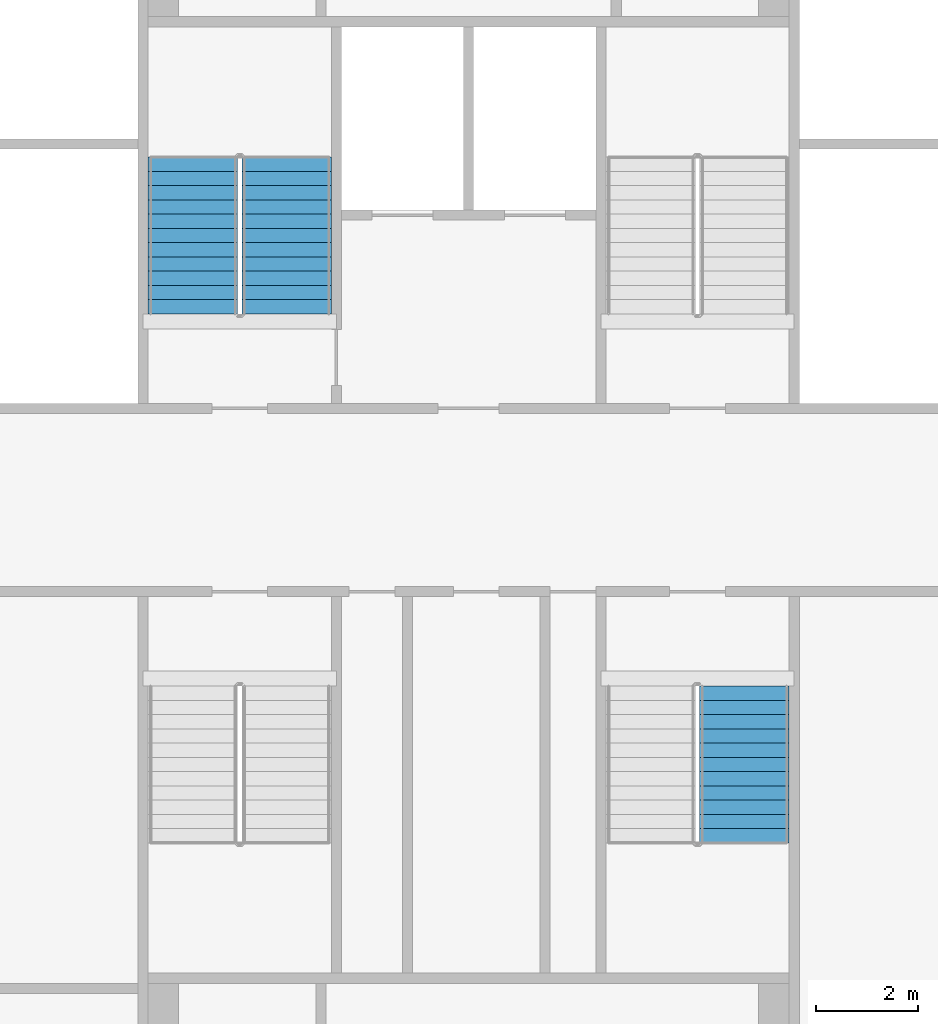
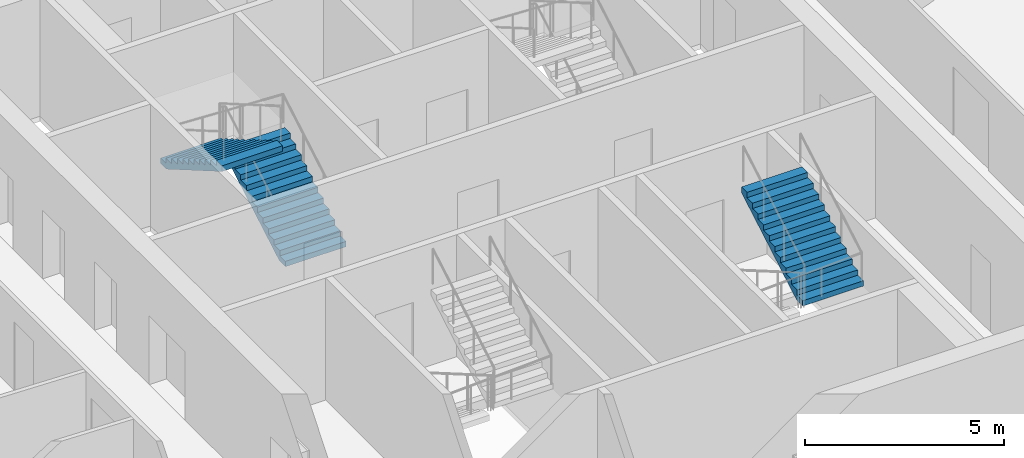
# One storey, part 15 of 21: 3 stair flights, 2 elements without a shape of their own.
"""IFC4 building model written with IfcOpenShell, lengths in metres."""

import ifcopenshell
import ifcopenshell.guid

model = None  # the IFC model being written
_history = None  # IfcOwnerHistory: only IFC2X3 demands one
_inside = {}  # id of a spatial element -> (the spatial element, [elements in it])
_under = {}  # id of a project, library or spatial element -> (it, [spatial elements below it])
_declared = {}  # id of a project -> (the project, [libraries it declares])
_typed = {}  # id of a type object -> (the type object, [elements of that type])
_made_of = {}  # id of a material, layer set ... -> (it, [elements and type objects made of it])


def new_model(schema):
    """Start an empty IFC model of exactly this schema.

    Asked for "IFC4X3", IfcOpenShell would pick the latest addendum, in which some entities
    have other attributes; the version numbers below select the first issue.
    IFC2X3 requires an IfcOwnerHistory on every rooted entity: one is made here for all.
    """
    global model, _history
    if schema == "IFC4X3":
        model = ifcopenshell.file(schema_version=(4, 3, 0, 0))
    else:
        model = ifcopenshell.file(schema=schema)
    _inside.clear()
    _under.clear()
    _declared.clear()
    _typed.clear()
    _made_of.clear()
    _history = None
    if model.schema == "IFC2X3":
        org = make("IfcOrganization", Name="unknown")
        user = make(
            "IfcPersonAndOrganization",
            ThePerson=make("IfcPerson", FamilyName="unknown"),
            TheOrganization=org,
        )
        app = make(
            "IfcApplication",
            ApplicationDeveloper=org,
            Version="unknown",
            ApplicationFullName="unknown",
            ApplicationIdentifier="unknown",
        )
        _history = make(
            "IfcOwnerHistory",
            OwningUser=user,
            OwningApplication=app,
            ChangeAction="ADDED",
            CreationDate=0,
        )
    return model


def make(cls, **values):
    """One entity of the class cls with the attributes given. An attribute that is None is left unset."""
    return model.create_entity(
        cls, **{name: value for name, value in values.items() if value is not None}
    )


def rooted(cls, **values):
    """An entity with a GlobalId (a new one), such as an element, a storey or a relation."""
    return make(cls, GlobalId=ifcopenshell.guid.new(), OwnerHistory=_history, **values)


def si_unit(unit_type, name, prefix=None):
    """IfcSIUnit, for example si_unit("LENGTHUNIT", "METRE", prefix="MILLI")."""
    return make("IfcSIUnit", UnitType=unit_type, Prefix=prefix, Name=name)


def assignment(units):
    """IfcUnitAssignment: the units of a project."""
    return None if units is None else make("IfcUnitAssignment", Units=units)


def point(xyz):
    """IfcCartesianPoint."""
    return None if xyz is None else make("IfcCartesianPoint", Coordinates=xyz)


def direction(xyz):
    """IfcDirection."""
    return None if xyz is None else make("IfcDirection", DirectionRatios=xyz)


def frame(location, z_axis=None, x_axis=None):
    """IfcAxis2Placement3D, a coordinate frame: its origin and axes. An axis left out is left unset."""
    return make(
        "IfcAxis2Placement3D",
        Location=point(location),
        Axis=direction(z_axis),
        RefDirection=direction(x_axis),
    )


def origin():
    """The frame at (0, 0, 0) with its axes left unset."""
    return frame((0.0, 0.0, 0.0))


def place(relative_to, where):
    """IfcLocalPlacement: puts the frame where relative to a parent placement (None: the world)."""
    return make(
        "IfcLocalPlacement", PlacementRelTo=relative_to, RelativePlacement=where
    )


def context(
    kind, dimensions, precision=None, world=None, true_north=None, identifier=None
):
    """IfcGeometricRepresentationContext, for example the 3D "Model" context."""
    return make(
        "IfcGeometricRepresentationContext",
        ContextIdentifier=identifier,
        ContextType=kind,
        CoordinateSpaceDimension=dimensions,
        Precision=precision,
        WorldCoordinateSystem=world,
        TrueNorth=true_north,
    )


def subcontext(parent, identifier, kind, view, scale=None):
    """IfcGeometricRepresentationSubContext, for example "Body" below "Model"."""
    return make(
        "IfcGeometricRepresentationSubContext",
        ContextIdentifier=identifier,
        ContextType=kind,
        ParentContext=parent,
        TargetScale=scale,
        TargetView=view,
    )


def project(units=None, contexts=None):
    """IfcProject with its units and contexts."""
    return rooted(
        "IfcProject",
        Name="project",
        RepresentationContexts=contexts,
        UnitsInContext=assignment(units),
    )


def spatial(cls, under=None, at=None, **own):
    """A site, building, storey or space (cls), placed at a placement, below another one or the project."""
    s = rooted(cls, ObjectPlacement=at, **own)
    if under is not None:
        _under.setdefault(under.id(), (under, []))[1].append(s)
    return s


def faces_of(points, faces, orient=None, outer=None):
    """IfcFace entities. A face is a list of loops; a loop is a list of indices into points, from 0.

    orient and outer hold one flag for each loop. By default every Orientation is true, the
    first loop of a face is its IfcFaceOuterBound and the others are IfcFaceBound.
    """
    made = []
    for i, loops in enumerate(faces):
        bounds = []
        for j, loop in enumerate(loops):
            is_outer = j == 0 if outer is None else outer[i][j]
            bounds.append(
                make(
                    "IfcFaceOuterBound" if is_outer else "IfcFaceBound",
                    Bound=make("IfcPolyLoop", Polygon=[points[k] for k in loop]),
                    Orientation=True if orient is None else orient[i][j],
                )
            )
        made.append(make("IfcFace", Bounds=bounds))
    return made


def faceted_brep(points, faces, orient=None, outer=None, voids=None):
    """IfcFacetedBrep: a solid bounded by flat faces; with voids (closed shells), ...WithVoids."""
    shared = [point(p) for p in points]
    hull = make("IfcClosedShell", CfsFaces=faces_of(shared, faces, orient, outer))
    if voids is None:
        return make("IfcFacetedBrep", Outer=hull)
    return make(
        "IfcFacetedBrepWithVoids",
        Outer=hull,
        Voids=[
            make(cls, CfsFaces=faces_of(shared, fs, o, b)) for cls, fs, o, b in voids
        ],
    )


def shape(context_of_items, identifier, shape_type, items):
    """IfcShapeRepresentation: the items that make up one representation, for example the "Body"."""
    return make(
        "IfcShapeRepresentation",
        ContextOfItems=context_of_items,
        RepresentationIdentifier=identifier,
        RepresentationType=shape_type,
        Items=items,
    )


def material(Name=None, Category=None):
    """IfcMaterial."""
    return make("IfcMaterial", Name=Name, Category=Category)


def made_of(thing, what):
    """Note that an element or type object is made of a material, layer set ...; save() writes the relation."""
    if what is not None:
        _made_of.setdefault(what.id(), (what, []))[1].append(thing)
    return thing


def type_object(cls, material=None, **own):
    """A type object (cls), such as IfcWallType, which elements share."""
    return made_of(rooted(cls, **own), material)


def element(
    cls,
    number,
    at=None,
    inside=None,
    cuts=None,
    type_object=None,
    material=None,
    context=None,
    identifier="Body",
    shape_type=None,
    held_by="IfcProductDefinitionShape",
    body=None,
    shapes=None,
    **own,
):
    """One element of the class cls, such as IfcWall. Its Tag is "e" and its number.

    at: its placement. inside: the storey or other place that contains it. cuts: it is an
    opening in that element (IfcRelVoidsElement). A single representation is given by context,
    identifier, shape_type and body (its items); several are given by shapes. held_by: the class
    of the entity that holds the representations. save() writes the other relations.
    """
    e = rooted(cls, Tag="e%d" % number, ObjectPlacement=at, **own)
    if body is not None:
        shapes = [shape(context, identifier, shape_type, body)]
    if shapes is not None:
        e.Representation = make(held_by, Representations=shapes)
    if inside is not None:
        _inside.setdefault(inside.id(), (inside, []))[1].append(e)
    if cuts is not None:
        rooted(
            "IfcRelVoidsElement", RelatingBuildingElement=cuts, RelatedOpeningElement=e
        )
    if type_object is not None:
        _typed.setdefault(type_object.id(), (type_object, []))[1].append(e)
    return made_of(e, material)


def aggregate(whole, parts):
    """IfcRelAggregates: a whole, such as a stair, and the parts it consists of."""
    return rooted("IfcRelAggregates", RelatingObject=whole, RelatedObjects=parts)


def save(model, path):
    """Write the relations noted so far, then the file.

    IfcRelAggregates (storeys below a building ...), IfcRelContainedInSpatialStructure (elements
    in a storey), IfcRelDefinesByType, IfcRelAssociatesMaterial and IfcRelDeclares: one each for
    every whole, place, type object, material and project.
    """
    for whole, parts in _under.values():
        aggregate(whole, parts)
    for where, things in _inside.values():
        rooted(
            "IfcRelContainedInSpatialStructure",
            RelatedElements=things,
            RelatingStructure=where,
        )
    for kind, things in _typed.values():
        rooted("IfcRelDefinesByType", RelatedObjects=things, RelatingType=kind)
    for what, things in _made_of.values():
        rooted("IfcRelAssociatesMaterial", RelatedObjects=things, RelatingMaterial=what)
    for by, libraries in _declared.values():
        rooted("IfcRelDeclares", RelatingContext=by, RelatedDefinitions=libraries)
    model.write(path)


model = new_model("IFC4")

# Units and contexts
model_context = context("Model", 3, precision=1e-05, world=origin(), true_north=direction((0.0, 1.0)))
body_context = subcontext(model_context, "Body", "Model", "MODEL_VIEW")
ifc_project = project(units=[si_unit("LENGTHUNIT", "METRE"), si_unit("AREAUNIT", "SQUARE_METRE"), si_unit("VOLUMEUNIT", "CUBIC_METRE"), si_unit("PLANEANGLEUNIT", "RADIAN"), si_unit("MASSUNIT", "GRAM", prefix="KILO")], contexts=[model_context])

# Site, building, storey
site_placement = place(None, origin())
site = spatial("IfcSite", under=ifc_project, at=site_placement, CompositionType="ELEMENT")
building_placement = place(site_placement, origin())
building = spatial("IfcBuilding", under=site, at=building_placement, Name="Tarsis Ring Headquarters", CompositionType="ELEMENT")
storey_placement = place(building_placement, frame((0.0, 0.0, 278.60009765625)))
storey = spatial("IfcBuildingStorey", under=building, at=storey_placement, Name="L65", CompositionType="ELEMENT", Elevation=278.60009765625)

# Stair, stair flights
ifc_material_1 = material(Name="Core stair 1760")
stair_type = type_object("IfcStairType", Name="Core stair 1760", PredefinedType="HALF_TURN_STAIR", material=ifc_material_1)
stair_1_placement = place(storey_placement, origin())
stair_1 = element("IfcStair", 1, at=stair_1_placement, inside=storey, type_object=stair_type, Name="L65 Firefighting stair", PredefinedType="HALF_TURN_STAIR")
ifc_material_2 = material(Name="Concrete C40/50", Category="concrete")
stair_flight_type = type_object("IfcStairFlightType", Name="Core stair flight 1760", PredefinedType="STRAIGHT", material=ifc_material_2)
stair_flight_1_placement = place(storey_placement, frame((-3.580078125, 3.659912109375, 0.0), z_axis=(0.0, 0.0, 1.0), x_axis=(0.0, 1.0, 0.0)))
stair_flight_1 = element("IfcStairFlight", 2, at=stair_flight_1_placement, type_object=stair_flight_type, Name="Stair ST1 flight 1", NumberOfRisers=12, NumberOfTreads=11, PredefinedType="STRAIGHT", RiserHeight=0.1625, TreadLength=0.28, context=body_context, shape_type="Brep", body=[
    faceted_brep([(0.0, 0.8798828125, 0.0), (0.0, 0.8798828125, 0.16259765625), (0.280029296875, 0.8798828125, 0.16259765625), (0.280029296875, 0.8798828125, 0.324951171875), (0.56005859375, 0.8798828125, 0.324951171875), (0.56005859375, 0.8798828125, 0.487548828125), (0.840087890625, 0.8798828125, 0.487548828125), (0.840087890625, 0.8798828125, 0.64990234375), (1.1201171875, 0.8798828125, 0.64990234375), (1.1201171875, 0.8798828125, 0.8125), (1.39990234375, 0.8798828125, 0.8125), (1.39990234375, 0.8798828125, 0.97509765625), (1.679931640625, 0.8798828125, 0.97509765625), (1.679931640625, 0.8798828125, 1.137451171875), (1.9599609375, 0.8798828125, 1.137451171875), (1.9599609375, 0.8798828125, 1.300048828125), (2.239990234375, 0.8798828125, 1.300048828125), (2.239990234375, 0.8798828125, 1.46240234375), (2.52001953125, 0.8798828125, 1.46240234375), (2.52001953125, 0.8798828125, 1.625), (2.800048828125, 0.8798828125, 1.625), (2.800048828125, 0.8798828125, 1.78759765625), (3.080078125, 0.8798828125, 1.78759765625), (3.080078125, 0.8798828125, 1.6142578125), (0.298583984375, 0.8798828125, 0.0), (0.298583984375, -0.8798828125, 0.0), (3.080078125, -0.8798828125, 1.6142578125), (3.080078125, -0.8798828125, 1.78759765625), (2.800048828125, -0.8798828125, 1.78759765625), (2.800048828125, -0.8798828125, 1.625), (2.52001953125, -0.8798828125, 1.625), (2.52001953125, -0.8798828125, 1.46240234375), (2.239990234375, -0.8798828125, 1.46240234375), (2.239990234375, -0.8798828125, 1.300048828125), (1.9599609375, -0.8798828125, 1.300048828125), (1.9599609375, -0.8798828125, 1.137451171875), (1.679931640625, -0.8798828125, 1.137451171875), (1.679931640625, -0.8798828125, 0.97509765625), (1.39990234375, -0.8798828125, 0.97509765625), (1.39990234375, -0.8798828125, 0.8125), (1.1201171875, -0.8798828125, 0.8125), (1.1201171875, -0.8798828125, 0.64990234375), (0.840087890625, -0.8798828125, 0.64990234375), (0.840087890625, -0.8798828125, 0.487548828125), (0.56005859375, -0.8798828125, 0.487548828125), (0.56005859375, -0.8798828125, 0.324951171875), (0.280029296875, -0.8798828125, 0.324951171875), (0.280029296875, -0.8798828125, 0.16259765625), (0.0, -0.8798828125, 0.16259765625), (0.0, -0.8798828125, 0.0), (0.0, -0.43994140625, 0.16259765625), (0.0, -0.43994140625, 0.0), (0.0, 0.0, 0.16259765625), (0.0, 0.0, 0.0), (0.0, 0.43994140625, 0.16259765625), (0.0, 0.43994140625, 0.0), (0.280029296875, -0.43994140625, 0.16259765625), (0.280029296875, 0.0, 0.16259765625), (0.280029296875, 0.43994140625, 0.16259765625), (0.280029296875, -0.43994140625, 0.324951171875), (0.280029296875, 0.0, 0.324951171875), (0.280029296875, 0.43994140625, 0.324951171875), (0.56005859375, -0.43994140625, 0.324951171875), (0.56005859375, 0.0, 0.324951171875), (0.56005859375, 0.43994140625, 0.324951171875), (0.56005859375, -0.43994140625, 0.487548828125), (0.56005859375, 0.0, 0.487548828125), (0.56005859375, 0.43994140625, 0.487548828125), (0.840087890625, -0.43994140625, 0.487548828125), (0.840087890625, 0.0, 0.487548828125), (0.840087890625, 0.43994140625, 0.487548828125), (0.840087890625, -0.43994140625, 0.64990234375), (0.840087890625, 0.0, 0.64990234375), (0.840087890625, 0.43994140625, 0.64990234375), (1.1201171875, -0.43994140625, 0.64990234375), (1.1201171875, 0.0, 0.64990234375), (1.1201171875, 0.43994140625, 0.64990234375), (1.1201171875, -0.43994140625, 0.8125), (1.1201171875, 0.0, 0.8125), (1.1201171875, 0.43994140625, 0.8125), (1.39990234375, -0.43994140625, 0.8125), (1.39990234375, 0.0, 0.8125), (1.39990234375, 0.43994140625, 0.8125), (1.39990234375, -0.43994140625, 0.97509765625), (1.39990234375, 0.0, 0.97509765625), (1.39990234375, 0.43994140625, 0.97509765625), (1.679931640625, -0.43994140625, 0.97509765625), (1.679931640625, 0.0, 0.97509765625), (1.679931640625, 0.43994140625, 0.97509765625), (1.679931640625, -0.43994140625, 1.137451171875), (1.679931640625, 0.0, 1.137451171875), (1.679931640625, 0.43994140625, 1.137451171875), (1.9599609375, -0.43994140625, 1.137451171875), (1.9599609375, 0.0, 1.137451171875), (1.9599609375, 0.43994140625, 1.137451171875), (1.9599609375, -0.43994140625, 1.300048828125), (1.9599609375, 0.0, 1.300048828125), (1.9599609375, 0.43994140625, 1.300048828125), (2.239990234375, -0.43994140625, 1.300048828125), (2.239990234375, 0.0, 1.300048828125), (2.239990234375, 0.43994140625, 1.300048828125), (2.239990234375, -0.43994140625, 1.46240234375), (2.239990234375, 0.0, 1.46240234375), (2.239990234375, 0.43994140625, 1.46240234375), (2.52001953125, -0.43994140625, 1.46240234375), (2.52001953125, 0.0, 1.46240234375), (2.52001953125, 0.43994140625, 1.46240234375), (2.52001953125, -0.43994140625, 1.625), (2.52001953125, 0.0, 1.625), (2.52001953125, 0.43994140625, 1.625), (2.800048828125, -0.43994140625, 1.625), (2.800048828125, 0.0, 1.625), (2.800048828125, 0.43994140625, 1.625), (2.800048828125, -0.43994140625, 1.78759765625), (2.800048828125, 0.0, 1.78759765625), (2.800048828125, 0.43994140625, 1.78759765625), (3.080078125, -0.43994140625, 1.78759765625), (3.080078125, 0.0, 1.78759765625), (3.080078125, 0.43994140625, 1.78759765625), (3.080078125, -0.43994140625, 1.6142578125), (3.080078125, 0.0, 1.6142578125), (3.080078125, 0.43994140625, 1.6142578125), (0.298583984375, -0.43994140625, 0.0), (0.298583984375, 0.0, 0.0), (0.298583984375, 0.43994140625, 0.0)], [[[0, 1, 2, 3, 4, 5, 6, 7, 8, 9, 10, 11, 12, 13, 14, 15, 16, 17, 18, 19, 20, 21, 22, 23, 24]], [[25, 26, 27, 28, 29, 30, 31, 32, 33, 34, 35, 36, 37, 38, 39, 40, 41, 42, 43, 44, 45, 46, 47, 48, 49]], [[49, 48, 50, 51]], [[51, 50, 52, 53]], [[53, 52, 54, 55]], [[55, 54, 1, 0]], [[48, 47, 56, 50]], [[50, 56, 57, 52]], [[52, 57, 58, 54]], [[54, 58, 2, 1]], [[47, 46, 59, 56]], [[56, 59, 60, 57]], [[57, 60, 61, 58]], [[58, 61, 3, 2]], [[46, 45, 62, 59]], [[59, 62, 63, 60]], [[60, 63, 64, 61]], [[61, 64, 4, 3]], [[45, 44, 65, 62]], [[62, 65, 66, 63]], [[63, 66, 67, 64]], [[64, 67, 5, 4]], [[44, 43, 68, 65]], [[65, 68, 69, 66]], [[66, 69, 70, 67]], [[67, 70, 6, 5]], [[43, 42, 71, 68]], [[68, 71, 72, 69]], [[69, 72, 73, 70]], [[70, 73, 7, 6]], [[42, 41, 74, 71]], [[71, 74, 75, 72]], [[72, 75, 76, 73]], [[73, 76, 8, 7]], [[41, 40, 77, 74]], [[74, 77, 78, 75]], [[75, 78, 79, 76]], [[76, 79, 9, 8]], [[40, 39, 80, 77]], [[77, 80, 81, 78]], [[78, 81, 82, 79]], [[79, 82, 10, 9]], [[39, 38, 83, 80]], [[80, 83, 84, 81]], [[81, 84, 85, 82]], [[82, 85, 11, 10]], [[38, 37, 86, 83]], [[83, 86, 87, 84]], [[84, 87, 88, 85]], [[85, 88, 12, 11]], [[37, 36, 89, 86]], [[86, 89, 90, 87]], [[87, 90, 91, 88]], [[88, 91, 13, 12]], [[36, 35, 92, 89]], [[89, 92, 93, 90]], [[90, 93, 94, 91]], [[91, 94, 14, 13]], [[35, 34, 95, 92]], [[92, 95, 96, 93]], [[93, 96, 97, 94]], [[94, 97, 15, 14]], [[34, 33, 98, 95]], [[95, 98, 99, 96]], [[96, 99, 100, 97]], [[97, 100, 16, 15]], [[33, 32, 101, 98]], [[98, 101, 102, 99]], [[99, 102, 103, 100]], [[100, 103, 17, 16]], [[32, 31, 104, 101]], [[101, 104, 105, 102]], [[102, 105, 106, 103]], [[103, 106, 18, 17]], [[31, 30, 107, 104]], [[104, 107, 108, 105]], [[105, 108, 109, 106]], [[106, 109, 19, 18]], [[30, 29, 110, 107]], [[107, 110, 111, 108]], [[108, 111, 112, 109]], [[109, 112, 20, 19]], [[29, 28, 113, 110]], [[110, 113, 114, 111]], [[111, 114, 115, 112]], [[112, 115, 21, 20]], [[28, 27, 116, 113]], [[113, 116, 117, 114]], [[114, 117, 118, 115]], [[115, 118, 22, 21]], [[27, 26, 119, 116]], [[116, 119, 120, 117]], [[117, 120, 121, 118]], [[118, 121, 23, 22]], [[26, 25, 122, 119]], [[119, 122, 123, 120]], [[120, 123, 124, 121]], [[121, 124, 24, 23]], [[25, 49, 51, 122]], [[122, 51, 53, 123]], [[123, 53, 55, 124]], [[124, 55, 0, 24]]]),
])
stair_flight_2_placement = place(storey_placement, frame((-5.419921875, 6.739990234375, 1.949951171875), z_axis=(0.0, 0.0, 1.0), x_axis=(0.0, -1.0, 0.0)))
stair_flight_2 = element("IfcStairFlight", 3, at=stair_flight_2_placement, type_object=stair_flight_type, Name="Stair ST1 flight 2", NumberOfRisers=12, NumberOfTreads=11, PredefinedType="STRAIGHT", RiserHeight=0.1625, TreadLength=0.28, context=body_context, shape_type="Brep", body=[
    faceted_brep([(0.0, 0.8798828125, 0.0), (0.0, 0.8798828125, 0.16259765625), (0.280029296875, 0.8798828125, 0.16259765625), (0.280029296875, 0.8798828125, 0.324951171875), (0.56005859375, 0.8798828125, 0.324951171875), (0.56005859375, 0.8798828125, 0.487548828125), (0.840087890625, 0.8798828125, 0.487548828125), (0.840087890625, 0.8798828125, 0.64990234375), (1.1201171875, 0.8798828125, 0.64990234375), (1.1201171875, 0.8798828125, 0.8125), (1.39990234375, 0.8798828125, 0.8125), (1.39990234375, 0.8798828125, 0.97509765625), (1.679931640625, 0.8798828125, 0.97509765625), (1.679931640625, 0.8798828125, 1.137451171875), (1.9599609375, 0.8798828125, 1.137451171875), (1.9599609375, 0.8798828125, 1.300048828125), (2.239990234375, 0.8798828125, 1.300048828125), (2.239990234375, 0.8798828125, 1.46240234375), (2.52001953125, 0.8798828125, 1.46240234375), (2.52001953125, 0.8798828125, 1.625), (2.800048828125, 0.8798828125, 1.625), (2.800048828125, 0.8798828125, 1.78759765625), (3.080078125, 0.8798828125, 1.78759765625), (3.080078125, 0.8798828125, 1.6142578125), (0.298583984375, 0.8798828125, 0.0), (0.298583984375, -0.8798828125, 0.0), (3.080078125, -0.8798828125, 1.6142578125), (3.080078125, -0.8798828125, 1.78759765625), (2.800048828125, -0.8798828125, 1.78759765625), (2.800048828125, -0.8798828125, 1.625), (2.52001953125, -0.8798828125, 1.625), (2.52001953125, -0.8798828125, 1.46240234375), (2.239990234375, -0.8798828125, 1.46240234375), (2.239990234375, -0.8798828125, 1.300048828125), (1.9599609375, -0.8798828125, 1.300048828125), (1.9599609375, -0.8798828125, 1.137451171875), (1.679931640625, -0.8798828125, 1.137451171875), (1.679931640625, -0.8798828125, 0.97509765625), (1.39990234375, -0.8798828125, 0.97509765625), (1.39990234375, -0.8798828125, 0.8125), (1.1201171875, -0.8798828125, 0.8125), (1.1201171875, -0.8798828125, 0.64990234375), (0.840087890625, -0.8798828125, 0.64990234375), (0.840087890625, -0.8798828125, 0.487548828125), (0.56005859375, -0.8798828125, 0.487548828125), (0.56005859375, -0.8798828125, 0.324951171875), (0.280029296875, -0.8798828125, 0.324951171875), (0.280029296875, -0.8798828125, 0.16259765625), (0.0, -0.8798828125, 0.16259765625), (0.0, -0.8798828125, 0.0), (0.0, -0.43994140625, 0.16259765625), (0.0, -0.43994140625, 0.0), (0.0, 0.0, 0.16259765625), (0.0, 0.0, 0.0), (0.0, 0.43994140625, 0.16259765625), (0.0, 0.43994140625, 0.0), (0.280029296875, -0.43994140625, 0.16259765625), (0.280029296875, 0.0, 0.16259765625), (0.280029296875, 0.43994140625, 0.16259765625), (0.280029296875, -0.43994140625, 0.324951171875), (0.280029296875, 0.0, 0.324951171875), (0.280029296875, 0.43994140625, 0.324951171875), (0.56005859375, -0.43994140625, 0.324951171875), (0.56005859375, 0.0, 0.324951171875), (0.56005859375, 0.43994140625, 0.324951171875), (0.56005859375, -0.43994140625, 0.487548828125), (0.56005859375, 0.0, 0.487548828125), (0.56005859375, 0.43994140625, 0.487548828125), (0.840087890625, -0.43994140625, 0.487548828125), (0.840087890625, 0.0, 0.487548828125), (0.840087890625, 0.43994140625, 0.487548828125), (0.840087890625, -0.43994140625, 0.64990234375), (0.840087890625, 0.0, 0.64990234375), (0.840087890625, 0.43994140625, 0.64990234375), (1.1201171875, -0.43994140625, 0.64990234375), (1.1201171875, 0.0, 0.64990234375), (1.1201171875, 0.43994140625, 0.64990234375), (1.1201171875, -0.43994140625, 0.8125), (1.1201171875, 0.0, 0.8125), (1.1201171875, 0.43994140625, 0.8125), (1.39990234375, -0.43994140625, 0.8125), (1.39990234375, 0.0, 0.8125), (1.39990234375, 0.43994140625, 0.8125), (1.39990234375, -0.43994140625, 0.97509765625), (1.39990234375, 0.0, 0.97509765625), (1.39990234375, 0.43994140625, 0.97509765625), (1.679931640625, -0.43994140625, 0.97509765625), (1.679931640625, 0.0, 0.97509765625), (1.679931640625, 0.43994140625, 0.97509765625), (1.679931640625, -0.43994140625, 1.137451171875), (1.679931640625, 0.0, 1.137451171875), (1.679931640625, 0.43994140625, 1.137451171875), (1.9599609375, -0.43994140625, 1.137451171875), (1.9599609375, 0.0, 1.137451171875), (1.9599609375, 0.43994140625, 1.137451171875), (1.9599609375, -0.43994140625, 1.300048828125), (1.9599609375, 0.0, 1.300048828125), (1.9599609375, 0.43994140625, 1.300048828125), (2.239990234375, -0.43994140625, 1.300048828125), (2.239990234375, 0.0, 1.300048828125), (2.239990234375, 0.43994140625, 1.300048828125), (2.239990234375, -0.43994140625, 1.46240234375), (2.239990234375, 0.0, 1.46240234375), (2.239990234375, 0.43994140625, 1.46240234375), (2.52001953125, -0.43994140625, 1.46240234375), (2.52001953125, 0.0, 1.46240234375), (2.52001953125, 0.43994140625, 1.46240234375), (2.52001953125, -0.43994140625, 1.625), (2.52001953125, 0.0, 1.625), (2.52001953125, 0.43994140625, 1.625), (2.800048828125, -0.43994140625, 1.625), (2.800048828125, 0.0, 1.625), (2.800048828125, 0.43994140625, 1.625), (2.800048828125, -0.43994140625, 1.78759765625), (2.800048828125, 0.0, 1.78759765625), (2.800048828125, 0.43994140625, 1.78759765625), (3.080078125, -0.43994140625, 1.78759765625), (3.080078125, 0.0, 1.78759765625), (3.080078125, 0.43994140625, 1.78759765625), (3.080078125, -0.43994140625, 1.6142578125), (3.080078125, 0.0, 1.6142578125), (3.080078125, 0.43994140625, 1.6142578125), (0.298583984375, -0.43994140625, 0.0), (0.298583984375, 0.0, 0.0), (0.298583984375, 0.43994140625, 0.0)], [[[0, 1, 2, 3, 4, 5, 6, 7, 8, 9, 10, 11, 12, 13, 14, 15, 16, 17, 18, 19, 20, 21, 22, 23, 24]], [[25, 26, 27, 28, 29, 30, 31, 32, 33, 34, 35, 36, 37, 38, 39, 40, 41, 42, 43, 44, 45, 46, 47, 48, 49]], [[49, 48, 50, 51]], [[51, 50, 52, 53]], [[53, 52, 54, 55]], [[55, 54, 1, 0]], [[48, 47, 56, 50]], [[50, 56, 57, 52]], [[52, 57, 58, 54]], [[54, 58, 2, 1]], [[47, 46, 59, 56]], [[56, 59, 60, 57]], [[57, 60, 61, 58]], [[58, 61, 3, 2]], [[46, 45, 62, 59]], [[59, 62, 63, 60]], [[60, 63, 64, 61]], [[61, 64, 4, 3]], [[45, 44, 65, 62]], [[62, 65, 66, 63]], [[63, 66, 67, 64]], [[64, 67, 5, 4]], [[44, 43, 68, 65]], [[65, 68, 69, 66]], [[66, 69, 70, 67]], [[67, 70, 6, 5]], [[43, 42, 71, 68]], [[68, 71, 72, 69]], [[69, 72, 73, 70]], [[70, 73, 7, 6]], [[42, 41, 74, 71]], [[71, 74, 75, 72]], [[72, 75, 76, 73]], [[73, 76, 8, 7]], [[41, 40, 77, 74]], [[74, 77, 78, 75]], [[75, 78, 79, 76]], [[76, 79, 9, 8]], [[40, 39, 80, 77]], [[77, 80, 81, 78]], [[78, 81, 82, 79]], [[79, 82, 10, 9]], [[39, 38, 83, 80]], [[80, 83, 84, 81]], [[81, 84, 85, 82]], [[82, 85, 11, 10]], [[38, 37, 86, 83]], [[83, 86, 87, 84]], [[84, 87, 88, 85]], [[85, 88, 12, 11]], [[37, 36, 89, 86]], [[86, 89, 90, 87]], [[87, 90, 91, 88]], [[88, 91, 13, 12]], [[36, 35, 92, 89]], [[89, 92, 93, 90]], [[90, 93, 94, 91]], [[91, 94, 14, 13]], [[35, 34, 95, 92]], [[92, 95, 96, 93]], [[93, 96, 97, 94]], [[94, 97, 15, 14]], [[34, 33, 98, 95]], [[95, 98, 99, 96]], [[96, 99, 100, 97]], [[97, 100, 16, 15]], [[33, 32, 101, 98]], [[98, 101, 102, 99]], [[99, 102, 103, 100]], [[100, 103, 17, 16]], [[32, 31, 104, 101]], [[101, 104, 105, 102]], [[102, 105, 106, 103]], [[103, 106, 18, 17]], [[31, 30, 107, 104]], [[104, 107, 108, 105]], [[105, 108, 109, 106]], [[106, 109, 19, 18]], [[30, 29, 110, 107]], [[107, 110, 111, 108]], [[108, 111, 112, 109]], [[109, 112, 20, 19]], [[29, 28, 113, 110]], [[110, 113, 114, 111]], [[111, 114, 115, 112]], [[112, 115, 21, 20]], [[28, 27, 116, 113]], [[113, 116, 117, 114]], [[114, 117, 118, 115]], [[115, 118, 22, 21]], [[27, 26, 119, 116]], [[116, 119, 120, 117]], [[117, 120, 121, 118]], [[118, 121, 23, 22]], [[26, 25, 122, 119]], [[119, 122, 123, 120]], [[120, 123, 124, 121]], [[121, 124, 24, 23]], [[25, 49, 51, 122]], [[122, 51, 53, 123]], [[123, 53, 55, 124]], [[124, 55, 0, 24]]]),
])
aggregate(stair_1, [stair_flight_1, stair_flight_2])

# Stair, stair flight
stair_2_placement = place(storey_placement, origin())
stair_2 = element("IfcStair", 4, at=stair_2_placement, inside=storey, type_object=stair_type, Name="L65 Exit stair D", PredefinedType="HALF_TURN_STAIR")
stair_flight_3_placement = place(storey_placement, frame((5.419921875, -6.739990234375, 1.949951171875), z_axis=(0.0, 0.0, 1.0), x_axis=(0.0, 1.0, 0.0)))
stair_flight_3 = element("IfcStairFlight", 5, at=stair_flight_3_placement, type_object=stair_flight_type, Name="Stair ST4 flight 2", NumberOfRisers=12, NumberOfTreads=11, PredefinedType="STRAIGHT", RiserHeight=0.1625, TreadLength=0.28, context=body_context, shape_type="Brep", body=[
    faceted_brep([(0.0, 0.8798828125, 0.0), (0.0, 0.8798828125, 0.16259765625), (0.280029296875, 0.8798828125, 0.16259765625), (0.280029296875, 0.8798828125, 0.324951171875), (0.56005859375, 0.8798828125, 0.324951171875), (0.56005859375, 0.8798828125, 0.487548828125), (0.840087890625, 0.8798828125, 0.487548828125), (0.840087890625, 0.8798828125, 0.64990234375), (1.1201171875, 0.8798828125, 0.64990234375), (1.1201171875, 0.8798828125, 0.8125), (1.39990234375, 0.8798828125, 0.8125), (1.39990234375, 0.8798828125, 0.97509765625), (1.679931640625, 0.8798828125, 0.97509765625), (1.679931640625, 0.8798828125, 1.137451171875), (1.9599609375, 0.8798828125, 1.137451171875), (1.9599609375, 0.8798828125, 1.300048828125), (2.239990234375, 0.8798828125, 1.300048828125), (2.239990234375, 0.8798828125, 1.46240234375), (2.52001953125, 0.8798828125, 1.46240234375), (2.52001953125, 0.8798828125, 1.625), (2.800048828125, 0.8798828125, 1.625), (2.800048828125, 0.8798828125, 1.78759765625), (3.080078125, 0.8798828125, 1.78759765625), (3.080078125, 0.8798828125, 1.6142578125), (0.298583984375, 0.8798828125, 0.0), (0.298583984375, -0.8798828125, 0.0), (3.080078125, -0.8798828125, 1.6142578125), (3.080078125, -0.8798828125, 1.78759765625), (2.800048828125, -0.8798828125, 1.78759765625), (2.800048828125, -0.8798828125, 1.625), (2.52001953125, -0.8798828125, 1.625), (2.52001953125, -0.8798828125, 1.46240234375), (2.239990234375, -0.8798828125, 1.46240234375), (2.239990234375, -0.8798828125, 1.300048828125), (1.9599609375, -0.8798828125, 1.300048828125), (1.9599609375, -0.8798828125, 1.137451171875), (1.679931640625, -0.8798828125, 1.137451171875), (1.679931640625, -0.8798828125, 0.97509765625), (1.39990234375, -0.8798828125, 0.97509765625), (1.39990234375, -0.8798828125, 0.8125), (1.1201171875, -0.8798828125, 0.8125), (1.1201171875, -0.8798828125, 0.64990234375), (0.840087890625, -0.8798828125, 0.64990234375), (0.840087890625, -0.8798828125, 0.487548828125), (0.56005859375, -0.8798828125, 0.487548828125), (0.56005859375, -0.8798828125, 0.324951171875), (0.280029296875, -0.8798828125, 0.324951171875), (0.280029296875, -0.8798828125, 0.16259765625), (0.0, -0.8798828125, 0.16259765625), (0.0, -0.8798828125, 0.0), (0.0, -0.43994140625, 0.16259765625), (0.0, -0.43994140625, 0.0), (0.0, 0.0, 0.16259765625), (0.0, 0.0, 0.0), (0.0, 0.43994140625, 0.16259765625), (0.0, 0.43994140625, 0.0), (0.280029296875, -0.43994140625, 0.16259765625), (0.280029296875, 0.0, 0.16259765625), (0.280029296875, 0.43994140625, 0.16259765625), (0.280029296875, -0.43994140625, 0.324951171875), (0.280029296875, 0.0, 0.324951171875), (0.280029296875, 0.43994140625, 0.324951171875), (0.56005859375, -0.43994140625, 0.324951171875), (0.56005859375, 0.0, 0.324951171875), (0.56005859375, 0.43994140625, 0.324951171875), (0.56005859375, -0.43994140625, 0.487548828125), (0.56005859375, 0.0, 0.487548828125), (0.56005859375, 0.43994140625, 0.487548828125), (0.840087890625, -0.43994140625, 0.487548828125), (0.840087890625, 0.0, 0.487548828125), (0.840087890625, 0.43994140625, 0.487548828125), (0.840087890625, -0.43994140625, 0.64990234375), (0.840087890625, 0.0, 0.64990234375), (0.840087890625, 0.43994140625, 0.64990234375), (1.1201171875, -0.43994140625, 0.64990234375), (1.1201171875, 0.0, 0.64990234375), (1.1201171875, 0.43994140625, 0.64990234375), (1.1201171875, -0.43994140625, 0.8125), (1.1201171875, 0.0, 0.8125), (1.1201171875, 0.43994140625, 0.8125), (1.39990234375, -0.43994140625, 0.8125), (1.39990234375, 0.0, 0.8125), (1.39990234375, 0.43994140625, 0.8125), (1.39990234375, -0.43994140625, 0.97509765625), (1.39990234375, 0.0, 0.97509765625), (1.39990234375, 0.43994140625, 0.97509765625), (1.679931640625, -0.43994140625, 0.97509765625), (1.679931640625, 0.0, 0.97509765625), (1.679931640625, 0.43994140625, 0.97509765625), (1.679931640625, -0.43994140625, 1.137451171875), (1.679931640625, 0.0, 1.137451171875), (1.679931640625, 0.43994140625, 1.137451171875), (1.9599609375, -0.43994140625, 1.137451171875), (1.9599609375, 0.0, 1.137451171875), (1.9599609375, 0.43994140625, 1.137451171875), (1.9599609375, -0.43994140625, 1.300048828125), (1.9599609375, 0.0, 1.300048828125), (1.9599609375, 0.43994140625, 1.300048828125), (2.239990234375, -0.43994140625, 1.300048828125), (2.239990234375, 0.0, 1.300048828125), (2.239990234375, 0.43994140625, 1.300048828125), (2.239990234375, -0.43994140625, 1.46240234375), (2.239990234375, 0.0, 1.46240234375), (2.239990234375, 0.43994140625, 1.46240234375), (2.52001953125, -0.43994140625, 1.46240234375), (2.52001953125, 0.0, 1.46240234375), (2.52001953125, 0.43994140625, 1.46240234375), (2.52001953125, -0.43994140625, 1.625), (2.52001953125, 0.0, 1.625), (2.52001953125, 0.43994140625, 1.625), (2.800048828125, -0.43994140625, 1.625), (2.800048828125, 0.0, 1.625), (2.800048828125, 0.43994140625, 1.625), (2.800048828125, -0.43994140625, 1.78759765625), (2.800048828125, 0.0, 1.78759765625), (2.800048828125, 0.43994140625, 1.78759765625), (3.080078125, -0.43994140625, 1.78759765625), (3.080078125, 0.0, 1.78759765625), (3.080078125, 0.43994140625, 1.78759765625), (3.080078125, -0.43994140625, 1.6142578125), (3.080078125, 0.0, 1.6142578125), (3.080078125, 0.43994140625, 1.6142578125), (0.298583984375, -0.43994140625, 0.0), (0.298583984375, 0.0, 0.0), (0.298583984375, 0.43994140625, 0.0)], [[[0, 1, 2, 3, 4, 5, 6, 7, 8, 9, 10, 11, 12, 13, 14, 15, 16, 17, 18, 19, 20, 21, 22, 23, 24]], [[25, 26, 27, 28, 29, 30, 31, 32, 33, 34, 35, 36, 37, 38, 39, 40, 41, 42, 43, 44, 45, 46, 47, 48, 49]], [[49, 48, 50, 51]], [[51, 50, 52, 53]], [[53, 52, 54, 55]], [[55, 54, 1, 0]], [[48, 47, 56, 50]], [[50, 56, 57, 52]], [[52, 57, 58, 54]], [[54, 58, 2, 1]], [[47, 46, 59, 56]], [[56, 59, 60, 57]], [[57, 60, 61, 58]], [[58, 61, 3, 2]], [[46, 45, 62, 59]], [[59, 62, 63, 60]], [[60, 63, 64, 61]], [[61, 64, 4, 3]], [[45, 44, 65, 62]], [[62, 65, 66, 63]], [[63, 66, 67, 64]], [[64, 67, 5, 4]], [[44, 43, 68, 65]], [[65, 68, 69, 66]], [[66, 69, 70, 67]], [[67, 70, 6, 5]], [[43, 42, 71, 68]], [[68, 71, 72, 69]], [[69, 72, 73, 70]], [[70, 73, 7, 6]], [[42, 41, 74, 71]], [[71, 74, 75, 72]], [[72, 75, 76, 73]], [[73, 76, 8, 7]], [[41, 40, 77, 74]], [[74, 77, 78, 75]], [[75, 78, 79, 76]], [[76, 79, 9, 8]], [[40, 39, 80, 77]], [[77, 80, 81, 78]], [[78, 81, 82, 79]], [[79, 82, 10, 9]], [[39, 38, 83, 80]], [[80, 83, 84, 81]], [[81, 84, 85, 82]], [[82, 85, 11, 10]], [[38, 37, 86, 83]], [[83, 86, 87, 84]], [[84, 87, 88, 85]], [[85, 88, 12, 11]], [[37, 36, 89, 86]], [[86, 89, 90, 87]], [[87, 90, 91, 88]], [[88, 91, 13, 12]], [[36, 35, 92, 89]], [[89, 92, 93, 90]], [[90, 93, 94, 91]], [[91, 94, 14, 13]], [[35, 34, 95, 92]], [[92, 95, 96, 93]], [[93, 96, 97, 94]], [[94, 97, 15, 14]], [[34, 33, 98, 95]], [[95, 98, 99, 96]], [[96, 99, 100, 97]], [[97, 100, 16, 15]], [[33, 32, 101, 98]], [[98, 101, 102, 99]], [[99, 102, 103, 100]], [[100, 103, 17, 16]], [[32, 31, 104, 101]], [[101, 104, 105, 102]], [[102, 105, 106, 103]], [[103, 106, 18, 17]], [[31, 30, 107, 104]], [[104, 107, 108, 105]], [[105, 108, 109, 106]], [[106, 109, 19, 18]], [[30, 29, 110, 107]], [[107, 110, 111, 108]], [[108, 111, 112, 109]], [[109, 112, 20, 19]], [[29, 28, 113, 110]], [[110, 113, 114, 111]], [[111, 114, 115, 112]], [[112, 115, 21, 20]], [[28, 27, 116, 113]], [[113, 116, 117, 114]], [[114, 117, 118, 115]], [[115, 118, 22, 21]], [[27, 26, 119, 116]], [[116, 119, 120, 117]], [[117, 120, 121, 118]], [[118, 121, 23, 22]], [[26, 25, 122, 119]], [[119, 122, 123, 120]], [[120, 123, 124, 121]], [[121, 124, 24, 23]], [[25, 49, 51, 122]], [[122, 51, 53, 123]], [[123, 53, 55, 124]], [[124, 55, 0, 24]]]),
])
aggregate(stair_2, [stair_flight_3])

save(model, "model.ifc")
